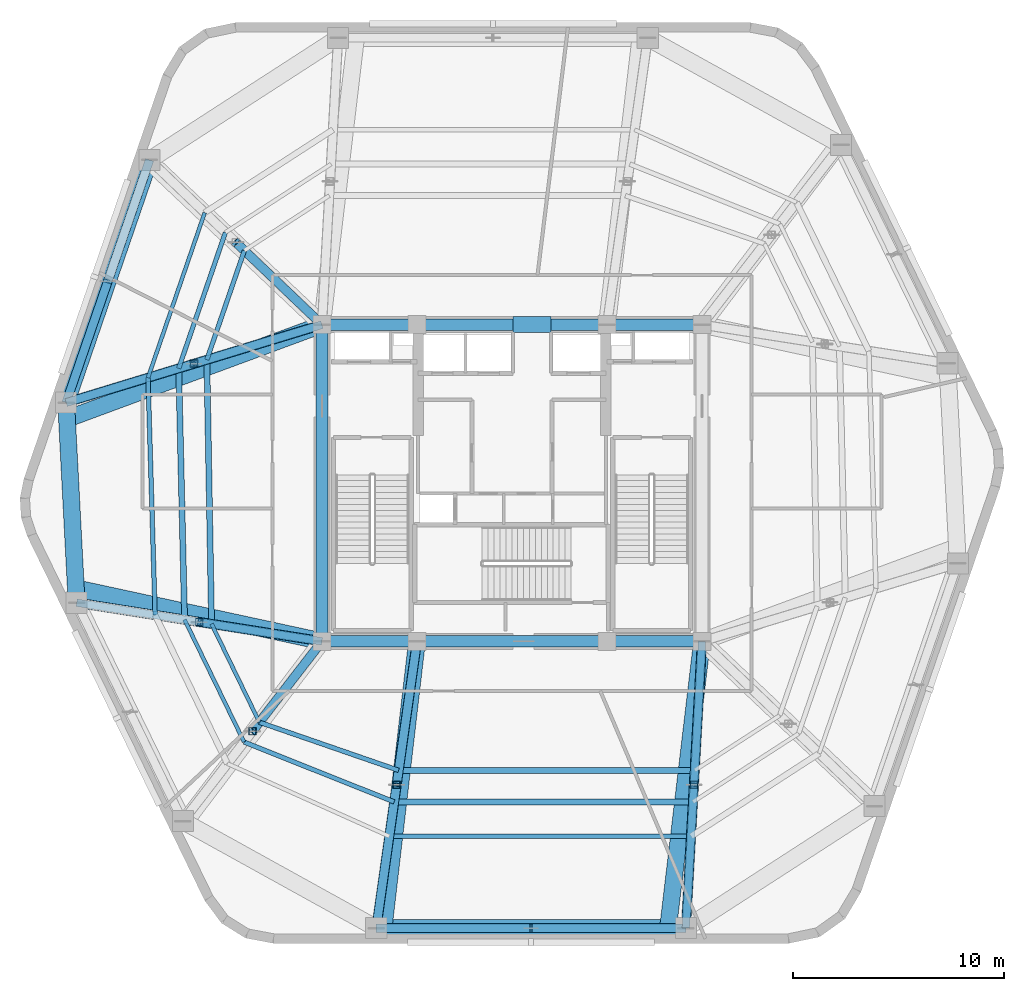
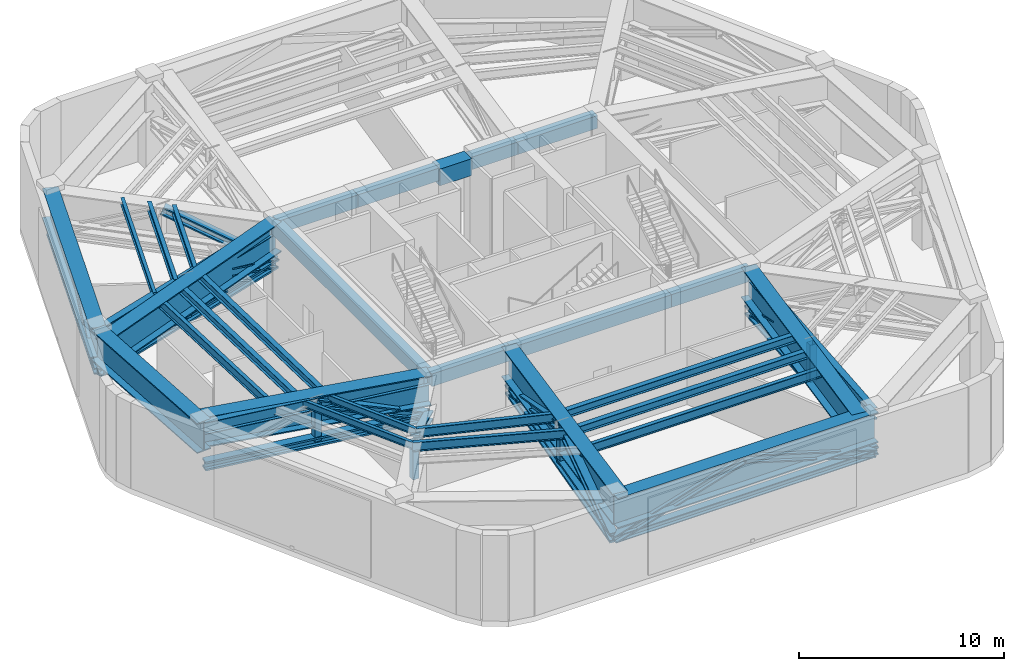
# One storey, part 2 of 10: 31 beams, 23 members.
"""IFC4 building model written with IfcOpenShell, lengths in metres."""

import ifcopenshell
import ifcopenshell.guid

model = None  # the IFC model being written
_history = None  # IfcOwnerHistory: only IFC2X3 demands one
_inside = {}  # id of a spatial element -> (the spatial element, [elements in it])
_under = {}  # id of a project, library or spatial element -> (it, [spatial elements below it])
_declared = {}  # id of a project -> (the project, [libraries it declares])
_typed = {}  # id of a type object -> (the type object, [elements of that type])
_made_of = {}  # id of a material, layer set ... -> (it, [elements and type objects made of it])


def new_model(schema):
    """Start an empty IFC model of exactly this schema.

    Asked for "IFC4X3", IfcOpenShell would pick the latest addendum, in which some entities
    have other attributes; the version numbers below select the first issue.
    IFC2X3 requires an IfcOwnerHistory on every rooted entity: one is made here for all.
    """
    global model, _history
    if schema == "IFC4X3":
        model = ifcopenshell.file(schema_version=(4, 3, 0, 0))
    else:
        model = ifcopenshell.file(schema=schema)
    _inside.clear()
    _under.clear()
    _declared.clear()
    _typed.clear()
    _made_of.clear()
    _history = None
    if model.schema == "IFC2X3":
        org = make("IfcOrganization", Name="unknown")
        user = make(
            "IfcPersonAndOrganization",
            ThePerson=make("IfcPerson", FamilyName="unknown"),
            TheOrganization=org,
        )
        app = make(
            "IfcApplication",
            ApplicationDeveloper=org,
            Version="unknown",
            ApplicationFullName="unknown",
            ApplicationIdentifier="unknown",
        )
        _history = make(
            "IfcOwnerHistory",
            OwningUser=user,
            OwningApplication=app,
            ChangeAction="ADDED",
            CreationDate=0,
        )
    return model


def make(cls, **values):
    """One entity of the class cls with the attributes given. An attribute that is None is left unset."""
    return model.create_entity(
        cls, **{name: value for name, value in values.items() if value is not None}
    )


def rooted(cls, **values):
    """An entity with a GlobalId (a new one), such as an element, a storey or a relation."""
    return make(cls, GlobalId=ifcopenshell.guid.new(), OwnerHistory=_history, **values)


def si_unit(unit_type, name, prefix=None):
    """IfcSIUnit, for example si_unit("LENGTHUNIT", "METRE", prefix="MILLI")."""
    return make("IfcSIUnit", UnitType=unit_type, Prefix=prefix, Name=name)


def assignment(units):
    """IfcUnitAssignment: the units of a project."""
    return None if units is None else make("IfcUnitAssignment", Units=units)


def point(xyz):
    """IfcCartesianPoint."""
    return None if xyz is None else make("IfcCartesianPoint", Coordinates=xyz)


def direction(xyz):
    """IfcDirection."""
    return None if xyz is None else make("IfcDirection", DirectionRatios=xyz)


def frame(location, z_axis=None, x_axis=None):
    """IfcAxis2Placement3D, a coordinate frame: its origin and axes. An axis left out is left unset."""
    return make(
        "IfcAxis2Placement3D",
        Location=point(location),
        Axis=direction(z_axis),
        RefDirection=direction(x_axis),
    )


def frame_2d(location, x_axis=None):
    """IfcAxis2Placement2D, a coordinate frame in the plane: its origin and x axis."""
    return make(
        "IfcAxis2Placement2D", Location=point(location), RefDirection=direction(x_axis)
    )


def origin():
    """The frame at (0, 0, 0) with its axes left unset."""
    return frame((0.0, 0.0, 0.0))


def origin_2d():
    """The frame at (0, 0) in the plane with its x axis left unset."""
    return frame_2d((0.0, 0.0))


def place(relative_to, where):
    """IfcLocalPlacement: puts the frame where relative to a parent placement (None: the world)."""
    return make(
        "IfcLocalPlacement", PlacementRelTo=relative_to, RelativePlacement=where
    )


def context(
    kind, dimensions, precision=None, world=None, true_north=None, identifier=None
):
    """IfcGeometricRepresentationContext, for example the 3D "Model" context."""
    return make(
        "IfcGeometricRepresentationContext",
        ContextIdentifier=identifier,
        ContextType=kind,
        CoordinateSpaceDimension=dimensions,
        Precision=precision,
        WorldCoordinateSystem=world,
        TrueNorth=true_north,
    )


def subcontext(parent, identifier, kind, view, scale=None):
    """IfcGeometricRepresentationSubContext, for example "Body" below "Model"."""
    return make(
        "IfcGeometricRepresentationSubContext",
        ContextIdentifier=identifier,
        ContextType=kind,
        ParentContext=parent,
        TargetScale=scale,
        TargetView=view,
    )


def project(units=None, contexts=None):
    """IfcProject with its units and contexts."""
    return rooted(
        "IfcProject",
        Name="project",
        RepresentationContexts=contexts,
        UnitsInContext=assignment(units),
    )


def spatial(cls, under=None, at=None, **own):
    """A site, building, storey or space (cls), placed at a placement, below another one or the project."""
    s = rooted(cls, ObjectPlacement=at, **own)
    if under is not None:
        _under.setdefault(under.id(), (under, []))[1].append(s)
    return s


def profile(cls, at=None, kind="AREA", **sizes):
    """A parametric profile (cls). Its sizes go by their IFC names, for example OverallWidth=200.0."""
    return make(cls, ProfileType=kind, Position=at, **sizes)


def rectangle(**sizes):
    """IfcRectangleProfileDef."""
    return profile("IfcRectangleProfileDef", **sizes)


def hollow_rectangle(**sizes):
    """IfcRectangleHollowProfileDef."""
    return profile("IfcRectangleHollowProfileDef", **sizes)


def i_section(**sizes):
    """IfcIShapeProfileDef."""
    return profile("IfcIShapeProfileDef", **sizes)


def extrude(swept, where, along, depth):
    """IfcExtrudedAreaSolid: the profile swept, set in the frame where, extruded along a direction by depth."""
    return make(
        "IfcExtrudedAreaSolid",
        SweptArea=swept,
        Position=where,
        ExtrudedDirection=direction(along),
        Depth=depth,
    )


def shape(context_of_items, identifier, shape_type, items):
    """IfcShapeRepresentation: the items that make up one representation, for example the "Body"."""
    return make(
        "IfcShapeRepresentation",
        ContextOfItems=context_of_items,
        RepresentationIdentifier=identifier,
        RepresentationType=shape_type,
        Items=items,
    )


def material(Name=None, Category=None):
    """IfcMaterial."""
    return make("IfcMaterial", Name=Name, Category=Category)


def material_profile(
    of_material, cross_section, Name=None, Category=None, Priority=None
):
    """IfcMaterialProfile: a cross section and its material."""
    return make(
        "IfcMaterialProfile",
        Name=Name,
        Material=of_material,
        Profile=cross_section,
        Priority=Priority,
        Category=Category,
    )


def profile_set(profiles, Name=None, composite=None):
    """IfcMaterialProfileSet."""
    return make(
        "IfcMaterialProfileSet",
        Name=Name,
        MaterialProfiles=profiles,
        CompositeProfile=composite,
    )


def made_of(thing, what):
    """Note that an element or type object is made of a material, layer set ...; save() writes the relation."""
    if what is not None:
        _made_of.setdefault(what.id(), (what, []))[1].append(thing)
    return thing


def type_object(cls, material=None, **own):
    """A type object (cls), such as IfcWallType, which elements share."""
    return made_of(rooted(cls, **own), material)


def element(
    cls,
    number,
    at=None,
    inside=None,
    cuts=None,
    type_object=None,
    material=None,
    context=None,
    identifier="Body",
    shape_type=None,
    held_by="IfcProductDefinitionShape",
    body=None,
    shapes=None,
    **own,
):
    """One element of the class cls, such as IfcWall. Its Tag is "e" and its number.

    at: its placement. inside: the storey or other place that contains it. cuts: it is an
    opening in that element (IfcRelVoidsElement). A single representation is given by context,
    identifier, shape_type and body (its items); several are given by shapes. held_by: the class
    of the entity that holds the representations. save() writes the other relations.
    """
    e = rooted(cls, Tag="e%d" % number, ObjectPlacement=at, **own)
    if body is not None:
        shapes = [shape(context, identifier, shape_type, body)]
    if shapes is not None:
        e.Representation = make(held_by, Representations=shapes)
    if inside is not None:
        _inside.setdefault(inside.id(), (inside, []))[1].append(e)
    if cuts is not None:
        rooted(
            "IfcRelVoidsElement", RelatingBuildingElement=cuts, RelatedOpeningElement=e
        )
    if type_object is not None:
        _typed.setdefault(type_object.id(), (type_object, []))[1].append(e)
    return made_of(e, material)


def aggregate(whole, parts):
    """IfcRelAggregates: a whole, such as a stair, and the parts it consists of."""
    return rooted("IfcRelAggregates", RelatingObject=whole, RelatedObjects=parts)


def save(model, path):
    """Write the relations noted so far, then the file.

    IfcRelAggregates (storeys below a building ...), IfcRelContainedInSpatialStructure (elements
    in a storey), IfcRelDefinesByType, IfcRelAssociatesMaterial and IfcRelDeclares: one each for
    every whole, place, type object, material and project.
    """
    for whole, parts in _under.values():
        aggregate(whole, parts)
    for where, things in _inside.values():
        rooted(
            "IfcRelContainedInSpatialStructure",
            RelatedElements=things,
            RelatingStructure=where,
        )
    for kind, things in _typed.values():
        rooted("IfcRelDefinesByType", RelatedObjects=things, RelatingType=kind)
    for what, things in _made_of.values():
        rooted("IfcRelAssociatesMaterial", RelatedObjects=things, RelatingMaterial=what)
    for by, libraries in _declared.values():
        rooted("IfcRelDeclares", RelatingContext=by, RelatedDefinitions=libraries)
    model.write(path)


model = new_model("IFC4")

# Units and contexts
model_context = context("Model", 3, precision=1e-05, world=origin(), true_north=direction((0.0, 1.0)))
body_context = subcontext(model_context, "Body", "Model", "MODEL_VIEW")
ifc_project = project(units=[si_unit("LENGTHUNIT", "METRE"), si_unit("AREAUNIT", "SQUARE_METRE"), si_unit("VOLUMEUNIT", "CUBIC_METRE"), si_unit("PLANEANGLEUNIT", "RADIAN"), si_unit("MASSUNIT", "GRAM", prefix="KILO")], contexts=[model_context])

# Site, building, storey
site_placement = place(None, origin())
site = spatial("IfcSite", under=ifc_project, at=site_placement, CompositionType="ELEMENT")
building_placement = place(site_placement, origin())
building = spatial("IfcBuilding", under=site, at=building_placement, Name="Kilnhurst Terrace Hotel", CompositionType="ELEMENT")
storey_placement = place(building_placement, frame((0.0, 0.0, 255.89990234375)))
storey = spatial("IfcBuildingStorey", under=building, at=storey_placement, Name="L64", CompositionType="ELEMENT", Elevation=255.89990234375)

# Beams
ifc_material_1 = material(Name="Concrete C50/60", Category="concrete")
ifc_material_profile_1 = material_profile(ifc_material_1, rectangle(XDim=0.550048828125, YDim=0.75, at=origin_2d()), Name="RC550X750")
ifc_profile_set_1 = profile_set([ifc_material_profile_1], Name="Concrete C50/60")
beam_type_1 = type_object("IfcBeamType", Name="BM-SPN-550X750", PredefinedType="SPANDREL", material=ifc_profile_set_1)
beam_1_placement = place(storey_placement, frame((-9.0, 7.5, 4.72509765625), z_axis=(1.0, 0.0, 0.0), x_axis=(0.0, 1.0, 0.0)))
element("IfcBeam", 1, at=beam_1_placement, inside=storey, type_object=beam_type_1, Name="L64 Core Tie Beam CC-NW to CC-NC1", PredefinedType="SPANDREL", context=body_context, shape_type="SweptSolid", body=[
    extrude(rectangle(XDim=0.550048828125, YDim=0.75, at=origin_2d()), origin(), (0.0, 0.0, 1.0), 4.5),
])
beam_2_placement = place(storey_placement, frame((-4.5, 7.5, 4.72509765625), z_axis=(1.0, 0.0, 0.0), x_axis=(0.0, 1.0, 0.0)))
element("IfcBeam", 2, at=beam_2_placement, inside=storey, type_object=beam_type_1, Name="L64 Core Tie Beam CC-NC1 to CC-NC2", PredefinedType="SPANDREL", context=body_context, shape_type="SweptSolid", body=[
    extrude(rectangle(XDim=0.550048828125, YDim=0.75, at=origin_2d()), origin(), (0.0, 0.0, 1.0), 9.0),
])
for number, where, z_axis, x_axis, name in (
    (3, (4.5, 7.5, 4.72509765625), (1.0, 0.0, 0.0), (0.0, 1.0, 0.0), "L64 Core Tie Beam CC-NC2 to CC-NE"),
    (4, (-9.0, -7.5, 4.72509765625), (1.0, 0.0, 0.0), (0.0, 1.0, 0.0), "L64 Core Tie Beam CC-SW to CC-SC1"),
):
    element("IfcBeam", number, at=place(storey_placement, frame(where, z_axis=z_axis, x_axis=x_axis)), inside=storey, type_object=beam_type_1, Name=name, PredefinedType="SPANDREL", context=body_context, shape_type="SweptSolid", body=[
        extrude(rectangle(XDim=0.550048828125, YDim=0.75, at=origin_2d()), origin(), (0.0, 0.0, 1.0), 4.5),
    ])
beam_3_placement = place(storey_placement, frame((-4.5, -7.5, 4.72509765625), z_axis=(1.0, 0.0, 0.0), x_axis=(0.0, 1.0, 0.0)))
element("IfcBeam", 5, at=beam_3_placement, inside=storey, type_object=beam_type_1, Name="L64 Core Tie Beam CC-SC1 to CC-SC2", PredefinedType="SPANDREL", context=body_context, shape_type="SweptSolid", body=[
    extrude(rectangle(XDim=0.550048828125, YDim=0.75, at=origin_2d()), origin(), (0.0, 0.0, 1.0), 9.0),
])
beam_4_placement = place(storey_placement, frame((4.5, -7.5, 4.72509765625), z_axis=(1.0, 0.0, 0.0), x_axis=(0.0, 1.0, 0.0)))
element("IfcBeam", 6, at=beam_4_placement, inside=storey, type_object=beam_type_1, Name="L64 Core Tie Beam CC-SC2 to CC-SE", PredefinedType="SPANDREL", context=body_context, shape_type="SweptSolid", body=[
    extrude(rectangle(XDim=0.550048828125, YDim=0.75, at=origin_2d()), origin(), (0.0, 0.0, 1.0), 4.5),
])
beam_5_placement = place(storey_placement, frame((-9.0, -7.5, 4.72509765625), z_axis=(0.0, 1.0, 0.0), x_axis=(-1.0, 0.0, 0.0)))
element("IfcBeam", 7, at=beam_5_placement, inside=storey, type_object=beam_type_1, Name="L64 Core Tie Beam CC-SW to CC-NW", PredefinedType="SPANDREL", context=body_context, shape_type="SweptSolid", body=[
    extrude(rectangle(XDim=0.550048828125, YDim=0.75, at=origin_2d()), origin(), (0.0, 0.0, 1.0), 15.0),
])
ifc_material_2 = material(Name="Steel ASTM A992 Grade 50", Category="steel")
ifc_material_profile_2 = material_profile(ifc_material_2, i_section(OverallWidth=0.354736328125, OverallDepth=0.695556640625, WebThickness=0.015380859375, FlangeThickness=0.025146484375, at=origin_2d()), Name="W27X146")
ifc_profile_set_2 = profile_set([ifc_material_profile_2], Name="Steel ASTM A992 Grade 50")
beam_type_2 = type_object("IfcBeamType", Name="BM-STL-W27X146", PredefinedType="BEAM", material=ifc_profile_set_2)
beam_6_placement = place(storey_placement, frame((9.0, -7.5, 4.752197265625), z_axis=(-0.056163905291, -0.998421562138, 0.0), x_axis=(0.998421562138, -0.056163905291, 0.0)))
element("IfcBeam", 8, at=beam_6_placement, inside=storey, type_object=beam_type_2, Name="L64 Radial Floor Beam 2", PredefinedType="BEAM", context=body_context, shape_type="SweptSolid", body=[
    extrude(i_section(OverallWidth=0.354736328125, OverallDepth=0.695556640625, WebThickness=0.015380859375, FlangeThickness=0.025146484375, at=origin_2d()), origin(), (0.0, 0.0, 1.0), 13.6015625),
])
beam_7_placement = place(storey_placement, frame((-9.0, -7.5, 4.752197265625), z_axis=(-0.987828160163, 0.155549111179, 0.0), x_axis=(-0.155549111179, -0.987828160163, 0.0)))
element("IfcBeam", 9, at=beam_7_placement, inside=storey, type_object=beam_type_2, Name="L64 Radial Floor Beam 11", PredefinedType="BEAM", context=body_context, shape_type="SweptSolid", body=[
    extrude(i_section(OverallWidth=0.354736328125, OverallDepth=0.695556640625, WebThickness=0.015380859375, FlangeThickness=0.025146484375, at=origin_2d()), origin(), (0.0, 0.0, 1.0), 11.765380859375),
])
ifc_material_profile_3 = material_profile(ifc_material_2, i_section(OverallWidth=0.380615234375, OverallDepth=0.773193359375, WebThickness=0.0166015625, FlangeThickness=0.027099609375, at=origin_2d()), Name="W30X173")
ifc_profile_set_3 = profile_set([ifc_material_profile_3], Name="Steel ASTM A992 Grade 50")
beam_type_3 = type_object("IfcBeamType", Name="BM-STL-W30X173", PredefinedType="BEAM", material=ifc_profile_set_3)
beam_8_placement = place(storey_placement, frame((-9.0, 7.5, 4.713134765625), z_axis=(-0.956562713724, -0.291526627793, 0.0), x_axis=(0.291526627793, -0.956562713724, 0.0)))
element("IfcBeam", 10, at=beam_8_placement, inside=storey, type_object=beam_type_3, Name="L64 Radial Floor Beam 10", PredefinedType="BEAM", context=body_context, shape_type="SweptSolid", body=[
    extrude(i_section(OverallWidth=0.380615234375, OverallDepth=0.773193359375, WebThickness=0.0166015625, FlangeThickness=0.027099609375, at=origin_2d()), origin(), (0.0, 0.0, 1.0), 12.668212890625),
])
ifc_material_profile_4 = material_profile(ifc_material_2, i_section(OverallWidth=0.180908203125, OverallDepth=0.417236328125, WebThickness=0.010986328125, FlangeThickness=0.018310546875, at=origin_2d()), Name="W16X57")
ifc_profile_set_4 = profile_set([ifc_material_profile_4], Name="Steel ASTM A992 Grade 50")
beam_type_4 = type_object("IfcBeamType", Name="JST-STL-W16X57", PredefinedType="JOIST", material=ifc_profile_set_4)
beam_9_placement = place(storey_placement, frame((-14.552978515625, 12.806640625, 4.89111328125), z_axis=(-0.325064911916, -0.945691706129, 0.0), x_axis=(0.945691706129, -0.325064911916, 0.0)))
element("IfcBeam", 11, at=beam_9_placement, inside=storey, type_object=beam_type_4, Name="L64 Secondary Floor Steel Joist OUT.9", PredefinedType="JOIST", context=body_context, shape_type="SweptSolid", body=[
    extrude(i_section(OverallWidth=0.180908203125, OverallDepth=0.417236328125, WebThickness=0.010986328125, FlangeThickness=0.018310546875, at=origin_2d()), origin(), (0.0, 0.0, 1.0), 8.266845703125),
])
beam_10_placement = place(storey_placement, frame((-14.22998046875, -6.676513671875, 4.89111328125), z_axis=(0.437718230281, -0.899112201496, 0.0), x_axis=(0.899112201496, 0.437718230281, 0.0)))
element("IfcBeam", 12, at=beam_10_placement, inside=storey, type_object=beam_type_4, Name="L64 Secondary Floor Steel Joist IN.11", PredefinedType="JOIST", context=body_context, shape_type="SweptSolid", body=[
    extrude(i_section(OverallWidth=0.180908203125, OverallDepth=0.417236328125, WebThickness=0.010986328125, FlangeThickness=0.018310546875, at=origin_2d()), origin(), (0.0, 0.0, 1.0), 5.176513671875),
])
beam_11_placement = place(storey_placement, frame((-15.50830078125, -6.47509765625, 4.89111328125), z_axis=(0.437683535338, -0.89912909134, 0.0), x_axis=(0.89912909134, 0.437683535338, 0.0)))
element("IfcBeam", 13, at=beam_11_placement, inside=storey, type_object=beam_type_4, Name="L64 Secondary Floor Steel Joist MID.11", PredefinedType="JOIST", context=body_context, shape_type="SweptSolid", body=[
    extrude(i_section(OverallWidth=0.180908203125, OverallDepth=0.417236328125, WebThickness=0.010986328125, FlangeThickness=0.018310546875, at=origin_2d()), origin(), (0.0, 0.0, 1.0), 6.442138671875),
])
ifc_material_profile_5 = material_profile(ifc_material_2, i_section(OverallWidth=0.279296875, OverallDepth=0.462890625, WebThickness=0.0107421875, FlangeThickness=0.017333984375, at=origin_2d()), Name="W18X76")
ifc_profile_set_5 = profile_set([ifc_material_profile_5], Name="Steel ASTM A992 Grade 50")
beam_type_5 = type_object("IfcBeamType", Name="JST-STL-W18X76", PredefinedType="JOIST", material=ifc_profile_set_5)
beam_12_placement = place(storey_placement, frame((-5.368408203125, -13.611083984375, 4.8681640625), z_axis=(1.0, 0.0, 0.0), x_axis=(0.0, 1.0, 0.0)))
element("IfcBeam", 14, at=beam_12_placement, inside=storey, type_object=beam_type_5, Name="L64 Secondary Floor Steel Joist IN.1", PredefinedType="JOIST", context=body_context, shape_type="SweptSolid", body=[
    extrude(i_section(OverallWidth=0.279296875, OverallDepth=0.462890625, WebThickness=0.0107421875, FlangeThickness=0.017333984375, at=origin_2d()), origin(), (0.0, 0.0, 1.0), 14.024658203125),
])
beam_13_placement = place(storey_placement, frame((-14.453125, 5.838134765625, 4.8681640625), z_axis=(0.017827833387, -0.999841071549, 0.0), x_axis=(0.999841071549, 0.017827833387, 0.0)))
element("IfcBeam", 15, at=beam_13_placement, inside=storey, type_object=beam_type_5, Name="L64 Secondary Floor Steel Joist IN.10", PredefinedType="JOIST", context=body_context, shape_type="SweptSolid", body=[
    extrude(i_section(OverallWidth=0.279296875, OverallDepth=0.462890625, WebThickness=0.0107421875, FlangeThickness=0.017333984375, at=origin_2d()), origin(), (0.0, 0.0, 1.0), 12.5166015625),
])
beam_14_placement = place(storey_placement, frame((-5.580810546875, -15.104736328125, 4.8681640625), z_axis=(1.0, 0.0, 0.0), x_axis=(0.0, 1.0, 0.0)))
element("IfcBeam", 16, at=beam_14_placement, inside=storey, type_object=beam_type_5, Name="L64 Secondary Floor Steel Joist MID.1", PredefinedType="JOIST", context=body_context, shape_type="SweptSolid", body=[
    extrude(i_section(OverallWidth=0.279296875, OverallDepth=0.462890625, WebThickness=0.0107421875, FlangeThickness=0.017333984375, at=origin_2d()), origin(), (0.0, 0.0, 1.0), 14.153076171875),
])
beam_15_placement = place(storey_placement, frame((-15.7861328125, 5.431884765625, 4.8681640625), z_axis=(0.023327188947, -0.999727884104, 0.0), x_axis=(0.999727884104, 0.023327188947, 0.0)))
element("IfcBeam", 17, at=beam_15_placement, inside=storey, type_object=beam_type_5, Name="L64 Secondary Floor Steel Joist MID.10", PredefinedType="JOIST", context=body_context, shape_type="SweptSolid", body=[
    extrude(i_section(OverallWidth=0.279296875, OverallDepth=0.462890625, WebThickness=0.0107421875, FlangeThickness=0.017333984375, at=origin_2d()), origin(), (0.0, 0.0, 1.0), 11.91015625),
])
ifc_material_profile_6 = material_profile(ifc_material_2, i_section(OverallWidth=0.2138671875, OverallDepth=0.549072265625, WebThickness=0.0146484375, FlangeThickness=0.023681640625, at=origin_2d()), Name="W21X93")
ifc_profile_set_6 = profile_set([ifc_material_profile_6], Name="Steel ASTM A992 Grade 50")
beam_type_6 = type_object("IfcBeamType", Name="JST-STL-W21X93", PredefinedType="JOIST", material=ifc_profile_set_6)
beam_16_placement = place(storey_placement, frame((-5.8125, -16.734375, 4.8251953125), z_axis=(1.0, 0.0, 0.0), x_axis=(0.0, 1.0, 0.0)))
element("IfcBeam", 18, at=beam_16_placement, inside=storey, type_object=beam_type_6, Name="L64 Secondary Floor Steel Joist OUT.1", PredefinedType="JOIST", context=body_context, shape_type="SweptSolid", body=[
    extrude(i_section(OverallWidth=0.2138671875, OverallDepth=0.549072265625, WebThickness=0.0146484375, FlangeThickness=0.023681640625, at=origin_2d()), origin(), (0.0, 0.0, 1.0), 14.29296875),
])
beam_17_placement = place(storey_placement, frame((-17.240234375, 4.98876953125, 4.8251953125), z_axis=(0.029971114202, -0.999550765251, 0.0), x_axis=(0.999550765251, 0.029971114202, 0.0)))
element("IfcBeam", 19, at=beam_17_placement, inside=storey, type_object=beam_type_6, Name="L64 Secondary Floor Steel Joist OUT.10", PredefinedType="JOIST", context=body_context, shape_type="SweptSolid", body=[
    extrude(i_section(OverallWidth=0.2138671875, OverallDepth=0.549072265625, WebThickness=0.0146484375, FlangeThickness=0.023681640625, at=origin_2d()), origin(), (0.0, 0.0, 1.0), 11.24951171875),
])
beam_18_placement = place(storey_placement, frame((-12.6748046875, 11.01171875, 4.8251953125), z_axis=(-0.325063554612, -0.945692172677, 0.0), x_axis=(0.945692172677, -0.325063554612, 0.0)))
element("IfcBeam", 20, at=beam_18_placement, inside=storey, type_object=beam_type_6, Name="L64 Secondary Floor Steel Joist IN.9", PredefinedType="JOIST", context=body_context, shape_type="SweptSolid", body=[
    extrude(i_section(OverallWidth=0.2138671875, OverallDepth=0.549072265625, WebThickness=0.0146484375, FlangeThickness=0.023681640625, at=origin_2d()), origin(), (0.0, 0.0, 1.0), 5.470703125),
])
beam_19_placement = place(storey_placement, frame((-11.964111328125, -11.330810546875, 4.8251953125), z_axis=(0.94511244231, -0.326745269884, 0.0), x_axis=(0.326745269884, 0.94511244231, 0.0)))
element("IfcBeam", 21, at=beam_19_placement, inside=storey, type_object=beam_type_6, Name="L64 Secondary Floor Steel Joist IN.12", PredefinedType="JOIST", context=body_context, shape_type="SweptSolid", body=[
    extrude(i_section(OverallWidth=0.2138671875, OverallDepth=0.549072265625, WebThickness=0.0146484375, FlangeThickness=0.023681640625, at=origin_2d()), origin(), (0.0, 0.0, 1.0), 6.978759765625),
])
beam_20_placement = place(storey_placement, frame((-13.572998046875, 11.8701171875, 4.8251953125), z_axis=(-0.325078766286, -0.945686943819, 0.0), x_axis=(0.945686943819, -0.325078766286, 0.0)))
element("IfcBeam", 22, at=beam_20_placement, inside=storey, type_object=beam_type_6, Name="L64 Secondary Floor Steel Joist MID.9", PredefinedType="JOIST", context=body_context, shape_type="SweptSolid", body=[
    extrude(i_section(OverallWidth=0.2138671875, OverallDepth=0.549072265625, WebThickness=0.0146484375, FlangeThickness=0.023681640625, at=origin_2d()), origin(), (0.0, 0.0, 1.0), 6.80810546875),
])
beam_21_placement = place(storey_placement, frame((-12.688720703125, -12.267333984375, 4.8251953125), z_axis=(0.928736063912, -0.370741585999, 0.0), x_axis=(0.370741585999, 0.928736063912, 0.0)))
element("IfcBeam", 23, at=beam_21_placement, inside=storey, type_object=beam_type_6, Name="L64 Secondary Floor Steel Joist MID.12", PredefinedType="JOIST", context=body_context, shape_type="SweptSolid", body=[
    extrude(i_section(OverallWidth=0.2138671875, OverallDepth=0.549072265625, WebThickness=0.0146484375, FlangeThickness=0.023681640625, at=origin_2d()), origin(), (0.0, 0.0, 1.0), 7.6533203125),
])
ifc_material_3 = material(Name="Concrete C60/75", Category="concrete")
ifc_material_profile_7 = material_profile(ifc_material_3, rectangle(XDim=0.75, YDim=1.0, at=origin_2d()), Name="RC750X1000")
ifc_profile_set_7 = profile_set([ifc_material_profile_7], Name="Concrete C60/75")
beam_type_7 = type_object("IfcBeamType", Name="LNT-CB-750X1000", PredefinedType="LINTEL", material=ifc_profile_set_7)
beam_22_placement = place(storey_placement, frame((0.050048828125, 7.5, 4.60009765625), z_axis=(1.0, 0.0, 0.0), x_axis=(0.0, 1.0, 0.0)))
element("IfcBeam", 24, at=beam_22_placement, inside=storey, type_object=beam_type_7, Name="L64 North Core Coupling Link Beam", PredefinedType="LINTEL", context=body_context, shape_type="SweptSolid", body=[
    extrude(rectangle(XDim=0.75, YDim=1.0, at=origin_2d()), origin(), (0.0, 0.0, 1.0), 1.800048828125),
])

# Members
ifc_material_profile_8 = material_profile(ifc_material_2, i_section(OverallWidth=0.41845703125, OverallDepth=0.455078125, WebThickness=0.0419921875, FlangeThickness=0.067626953125, at=origin_2d()), Name="W14X370")
ifc_profile_set_8 = profile_set([ifc_material_profile_8], Name="Steel ASTM A992 Grade 50")
member_type_1 = type_object("IfcMemberType", Name="MEM-BLT-DIAG-370", PredefinedType="BRACE", material=ifc_profile_set_8)
for number, where, z_axis, x_axis, name in (
    (25, (-6.429931640625, -21.080078125, 2.52001953125), (0.956739436055, 0.0, 0.290946131606), (0.0, 1.0, 0.0), "L64 Belt Truss Left Diagonal 1"),
    (26, (8.236083984375, -21.080078125, 2.52001953125), (-0.956739436055, 0.0, 0.290946131606), (0.0, -1.0, 0.0), "L64 Belt Truss Right Diagonal 1"),
):
    element("IfcMember", number, at=place(storey_placement, frame(where, z_axis=z_axis, x_axis=x_axis)), inside=storey, type_object=member_type_1, Name=name, PredefinedType="BRACE", context=body_context, shape_type="SweptSolid", body=[
        extrude(i_section(OverallWidth=0.41845703125, OverallDepth=0.455078125, WebThickness=0.0419921875, FlangeThickness=0.067626953125, at=origin_2d()), origin(), (0.0, 0.0, 1.0), 7.66455078125),
    ])
member_1_placement = place(storey_placement, frame((-21.117919921875, 3.806884765625, 2.52001953125), z_axis=(0.305138903919, 0.887855048744, 0.344388823477), x_axis=(-0.945706660369, 0.325021403192, 0.0)))
element("IfcMember", 27, at=member_1_placement, inside=storey, type_object=member_type_1, Name="L64 Belt Truss Right Diagonal 5", PredefinedType="BRACE", context=body_context, shape_type="SweptSolid", body=[
    extrude(i_section(OverallWidth=0.41845703125, OverallDepth=0.455078125, WebThickness=0.0419921875, FlangeThickness=0.067626953125, at=origin_2d()), origin(), (0.0, 0.0, 1.0), 6.47509765625),
])
ifc_material_profile_9 = material_profile(ifc_material_2, i_section(OverallWidth=0.40625, OverallDepth=0.416015625, WebThickness=0.02978515625, FlangeThickness=0.048095703125, at=origin_2d()), Name="W14X257")
ifc_profile_set_9 = profile_set([ifc_material_profile_9], Name="Steel ASTM A992 Grade 50")
member_type_2 = type_object("IfcMemberType", Name="MEM-CHD-W14X257", PredefinedType="CHORD", material=ifc_profile_set_9)
member_2_placement = place(storey_placement, frame((-6.429931640625, -21.080078125, 2.52001953125), z_axis=(1.0, 0.0, 0.0), x_axis=(0.0, 1.0, 0.0)))
element("IfcMember", 28, at=member_2_placement, inside=storey, type_object=member_type_2, Name="L64 Belt Truss Bottom Chord 1", PredefinedType="CHORD", context=body_context, shape_type="SweptSolid", body=[
    extrude(i_section(OverallWidth=0.40625, OverallDepth=0.416015625, WebThickness=0.02978515625, FlangeThickness=0.048095703125, at=origin_2d()), origin(), (0.0, 0.0, 1.0), 14.666015625),
])
member_3_placement = place(storey_placement, frame((-17.166015625, 15.303955078125, 2.52001953125), z_axis=(-0.325064053802, -0.94569200109, 0.0), x_axis=(0.94569200109, -0.325064053802, 0.0)))
element("IfcMember", 29, at=member_3_placement, inside=storey, type_object=member_type_2, Name="L64 Belt Truss Bottom Chord 5", PredefinedType="CHORD", context=body_context, shape_type="SweptSolid", body=[
    extrude(i_section(OverallWidth=0.40625, OverallDepth=0.416015625, WebThickness=0.02978515625, FlangeThickness=0.048095703125, at=origin_2d()), origin(), (0.0, 0.0, 1.0), 12.1572265625),
])
ifc_material_profile_10 = material_profile(ifc_material_2, i_section(OverallWidth=0.44189453125, OverallDepth=0.531494140625, WebThickness=0.06591796875, FlangeThickness=0.105712890625, at=origin_2d()), Name="W14X605")
ifc_profile_set_10 = profile_set([ifc_material_profile_10], Name="Steel ASTM A992 Grade 50")
member_type_3 = type_object("IfcMemberType", Name="MEM-CHD-W14X605", PredefinedType="CHORD", material=ifc_profile_set_10)
member_4_placement = place(storey_placement, frame((-4.5, -7.5, 2.52001953125), z_axis=(-0.140701170889, -0.990052109997, 0.0), x_axis=(0.990052109997, -0.140701170889, 0.0)))
element("IfcMember", 30, at=member_4_placement, inside=storey, type_object=member_type_3, Name="L64 Outrigger Bottom Chord 1", PredefinedType="CHORD", context=body_context, shape_type="SweptSolid", body=[
    extrude(i_section(OverallWidth=0.44189453125, OverallDepth=0.531494140625, WebThickness=0.06591796875, FlangeThickness=0.105712890625, at=origin_2d()), origin(), (0.0, 0.0, 1.0), 13.716552734375),
])
member_5_placement = place(storey_placement, frame((9.0, -7.5, 2.52001953125), z_axis=(-0.056163905291, -0.998421562138, 0.0), x_axis=(0.998421562138, -0.056163905291, 0.0)))
element("IfcMember", 31, at=member_5_placement, inside=storey, type_object=member_type_3, Name="L64 Outrigger Bottom Chord 2", PredefinedType="CHORD", context=body_context, shape_type="SweptSolid", body=[
    extrude(i_section(OverallWidth=0.44189453125, OverallDepth=0.531494140625, WebThickness=0.06591796875, FlangeThickness=0.105712890625, at=origin_2d()), origin(), (0.0, 0.0, 1.0), 13.6015625),
])
member_6_placement = place(storey_placement, frame((-9.0, 7.5, 2.52001953125), z_axis=(-0.956562713724, -0.291526627793, 0.0), x_axis=(0.291526627793, -0.956562713724, 0.0)))
element("IfcMember", 32, at=member_6_placement, inside=storey, type_object=member_type_3, Name="L64 Outrigger Bottom Chord 10", PredefinedType="CHORD", context=body_context, shape_type="SweptSolid", body=[
    extrude(i_section(OverallWidth=0.44189453125, OverallDepth=0.531494140625, WebThickness=0.06591796875, FlangeThickness=0.105712890625, at=origin_2d()), origin(), (0.0, 0.0, 1.0), 12.668212890625),
])
member_7_placement = place(storey_placement, frame((-9.0, -7.5, 2.52001953125), z_axis=(-0.987828160163, 0.155549111179, 0.0), x_axis=(-0.155549111179, -0.987828160163, 0.0)))
element("IfcMember", 33, at=member_7_placement, inside=storey, type_object=member_type_3, Name="L64 Outrigger Bottom Chord 11", PredefinedType="CHORD", context=body_context, shape_type="SweptSolid", body=[
    extrude(i_section(OverallWidth=0.44189453125, OverallDepth=0.531494140625, WebThickness=0.06591796875, FlangeThickness=0.105712890625, at=origin_2d()), origin(), (0.0, 0.0, 1.0), 11.765380859375),
])
ifc_material_profile_11 = material_profile(ifc_material_2, i_section(OverallWidth=0.424072265625, OverallDepth=0.47412109375, WebThickness=0.047607421875, FlangeThickness=0.0771484375, at=origin_2d()), Name="W14X426")
ifc_profile_set_11 = profile_set([ifc_material_profile_11], Name="Steel ASTM A992 Grade 50")
member_type_4 = type_object("IfcMemberType", Name="MEM-OTR-DIAG-426", PredefinedType="BRACE", material=ifc_profile_set_11)
for number, where, z_axis, x_axis, name in (
    (34, (-4.5, -7.5, 2.52001953125), (-0.133822238745, -0.941528991647, 0.309216374576), (0.990049630421, -0.140718617469, 0.0), "L64 Outrigger Inner Diagonal 1"),
    (35, (-5.465087890625, -14.2900390625, 4.75), (-0.133788991442, -0.941533256573, -0.30921777526), (0.990054589279, -0.140683724178, 0.0), "L64 Outrigger Outer Diagonal 1"),
):
    element("IfcMember", number, at=place(storey_placement, frame(where, z_axis=z_axis, x_axis=x_axis)), inside=storey, type_object=member_type_4, Name=name, PredefinedType="BRACE", context=body_context, shape_type="SweptSolid", body=[
        extrude(i_section(OverallWidth=0.424072265625, OverallDepth=0.47412109375, WebThickness=0.047607421875, FlangeThickness=0.0771484375, at=origin_2d()), origin(), (0.0, 0.0, 1.0), 7.211669921875),
    ])
for number, where, z_axis, x_axis, name in (
    (36, (9.0, -7.5, 2.52001953125), (-0.053385101405, -0.948719770149, 0.311577965646), (0.998420555458, -0.056181798119, 0.0), "L64 Outrigger Inner Diagonal 2"),
    (37, (8.617919921875, -14.2900390625, 4.75), (-0.053351086644, -0.948721497284, -0.31157853287), (0.9984225685, -0.05614601241, 0.0), "L64 Outrigger Outer Diagonal 2"),
):
    element("IfcMember", number, at=place(storey_placement, frame(where, z_axis=z_axis, x_axis=x_axis)), inside=storey, type_object=member_type_4, Name=name, PredefinedType="BRACE", context=body_context, shape_type="SweptSolid", body=[
        extrude(i_section(OverallWidth=0.424072265625, OverallDepth=0.47412109375, WebThickness=0.047607421875, FlangeThickness=0.0771484375, at=origin_2d()), origin(), (0.0, 0.0, 1.0), 7.156982421875),
    ])
member_8_placement = place(storey_placement, frame((-9.0, 7.5, 2.52001953125), z_axis=(-0.672423334652, 0.642629882668, 0.367251539028), x_axis=(-0.690909489119, -0.7229412686, 0.0)))
element("IfcMember", 38, at=member_8_placement, inside=storey, type_object=member_type_4, Name="L64 Outrigger Inner Diagonal 9", PredefinedType="BRACE", context=body_context, shape_type="SweptSolid", body=[
    extrude(i_section(OverallWidth=0.424072265625, OverallDepth=0.47412109375, WebThickness=0.047607421875, FlangeThickness=0.0771484375, at=origin_2d()), origin(), (0.0, 0.0, 1.0), 6.072021484375),
])
member_9_placement = place(storey_placement, frame((-9.0, 7.5, 2.52001953125), z_axis=(-0.902304630305, -0.274894242475, 0.332083588251), x_axis=(0.291433080955, -0.956591218507, 0.0)))
element("IfcMember", 39, at=member_9_placement, inside=storey, type_object=member_type_4, Name="L64 Outrigger Inner Diagonal 10", PredefinedType="BRACE", context=body_context, shape_type="SweptSolid", body=[
    extrude(i_section(OverallWidth=0.424072265625, OverallDepth=0.47412109375, WebThickness=0.047607421875, FlangeThickness=0.0771484375, at=origin_2d()), origin(), (0.0, 0.0, 1.0), 6.715087890625),
])
member_10_placement = place(storey_placement, frame((-15.05908203125, 5.654052734375, 4.75), z_axis=(-0.902252769552, -0.275071300094, -0.33207788198), x_axis=(0.291620170037, -0.956534200344, 0.0)))
element("IfcMember", 40, at=member_10_placement, inside=storey, type_object=member_type_4, Name="L64 Outrigger Outer Diagonal 10", PredefinedType="BRACE", context=body_context, shape_type="SweptSolid", body=[
    extrude(i_section(OverallWidth=0.424072265625, OverallDepth=0.47412109375, WebThickness=0.047607421875, FlangeThickness=0.0771484375, at=origin_2d()), origin(), (0.0, 0.0, 1.0), 6.71533203125),
])
member_11_placement = place(storey_placement, frame((-9.0, -7.5, 2.52001953125), z_axis=(-0.923687932263, 0.145449221499, 0.354464564881), x_axis=(-0.155549111179, -0.987828160163, 0.0)))
element("IfcMember", 41, at=member_11_placement, inside=storey, type_object=member_type_4, Name="L64 Outrigger Inner Diagonal 11", PredefinedType="BRACE", context=body_context, shape_type="SweptSolid", body=[
    extrude(i_section(OverallWidth=0.424072265625, OverallDepth=0.47412109375, WebThickness=0.047607421875, FlangeThickness=0.0771484375, at=origin_2d()), origin(), (0.0, 0.0, 1.0), 6.291015625),
])
member_12_placement = place(storey_placement, frame((-9.0, -7.5, 2.52001953125), z_axis=(-0.565245212638, -0.730737008657, 0.382780973624), x_axis=(0.790978634718, -0.611843770435, 0.0)))
element("IfcMember", 42, at=member_12_placement, inside=storey, type_object=member_type_4, Name="L64 Outrigger Inner Diagonal 12", PredefinedType="BRACE", context=body_context, shape_type="SweptSolid", body=[
    extrude(i_section(OverallWidth=0.424072265625, OverallDepth=0.47412109375, WebThickness=0.047607421875, FlangeThickness=0.0771484375, at=origin_2d()), origin(), (0.0, 0.0, 1.0), 5.82568359375),
])
ifc_material_4 = material(Name="Steel ASTM A500 Grade C", Category="steel")
ifc_material_profile_12 = material_profile(ifc_material_4, hollow_rectangle(XDim=0.35009765625, YDim=0.35009765625, WallThickness=0.01611328125, at=origin_2d()), Name="HSS350X350X16")
ifc_profile_set_12 = profile_set([ifc_material_profile_12], Name="Steel ASTM A500 Grade C")
member_type_5 = type_object("IfcMemberType", Name="MEM-STR-HSS350", PredefinedType="STRUT", material=ifc_profile_set_12)
for number, where, z_axis, x_axis, name in (
    (43, (-5.465087890625, -14.2900390625, 2.52001953125), (0.0, 0.0, 1.0), (1.0, 0.0, 0.0), "L64 Outrigger Web Post 1"),
    (44, (8.617919921875, -14.2900390625, 2.52001953125), (0.0, 0.0, 1.0), (1.0, 0.0, 0.0), "L64 Outrigger Web Post 2"),
    (45, (-15.05908203125, 5.654052734375, 2.52001953125), (0.0, 0.0, 1.0), (1.0, 0.0, 0.0), "L64 Outrigger Web Post 10"),
    (46, (-14.81103515625, -6.5849609375, 2.52001953125), (0.0, 0.0, 1.0), (1.0, 0.0, 0.0), "L64 Outrigger Web Post 11"),
    (47, (-12.29296875, -11.757080078125, 2.52001953125), (0.0, 0.0, 1.0), (1.0, 0.0, 0.0), "L64 Outrigger Web Post 12"),
):
    element("IfcMember", number, at=place(storey_placement, frame(where, z_axis=z_axis, x_axis=x_axis)), inside=storey, type_object=member_type_5, Name=name, PredefinedType="STRUT", context=body_context, shape_type="SweptSolid", body=[
        extrude(hollow_rectangle(XDim=0.35009765625, YDim=0.35009765625, WallThickness=0.01611328125, at=origin_2d()), origin(), (0.0, 0.0, 1.0), 2.22998046875),
    ])

# Beams
ifc_material_5 = material(Name="Steel ASTM A572 Grade 50", Category="steel")
ifc_material_profile_13 = material_profile(ifc_material_5, i_section(OverallWidth=0.800048828125, OverallDepth=1.800048828125, WebThickness=0.0400390625, FlangeThickness=0.06494140625, at=origin_2d()), Name="PG1800X800")
ifc_profile_set_13 = profile_set([ifc_material_profile_13], Name="Steel ASTM A572 Grade 50")
beam_type_8 = type_object("IfcBeamType", Name="TG-STEP-1800", PredefinedType="USERDEFINED", material=ifc_profile_set_13)
beam_23_placement = place(storey_placement, frame((-6.429931640625, -21.080078125, 4.2001953125), z_axis=(1.0, 0.0, 0.0), x_axis=(0.0, 1.0, 0.0)))
element("IfcBeam", 48, at=beam_23_placement, inside=storey, type_object=beam_type_8, Name="L64 Zone Step Perimeter Transfer Girder 1", ObjectType="GIRDER", PredefinedType="USERDEFINED", context=body_context, shape_type="SweptSolid", body=[
    extrude(i_section(OverallWidth=0.800048828125, OverallDepth=1.800048828125, WebThickness=0.0400390625, FlangeThickness=0.06494140625, at=origin_2d()), origin(), (0.0, 0.0, 1.0), 14.666015625),
])
beam_24_placement = place(storey_placement, frame((-17.166015625, 15.303955078125, 4.2001953125), z_axis=(-0.325064053802, -0.94569200109, 0.0), x_axis=(0.94569200109, -0.325064053802, 0.0)))
element("IfcBeam", 49, at=beam_24_placement, inside=storey, type_object=beam_type_8, Name="L64 Zone Step Perimeter Transfer Girder 9", ObjectType="GIRDER", PredefinedType="USERDEFINED", context=body_context, shape_type="SweptSolid", body=[
    extrude(i_section(OverallWidth=0.800048828125, OverallDepth=1.800048828125, WebThickness=0.0400390625, FlangeThickness=0.06494140625, at=origin_2d()), origin(), (0.0, 0.0, 1.0), 12.1572265625),
])
beam_25_placement = place(storey_placement, frame((-21.117919921875, 3.806884765625, 4.2001953125), z_axis=(0.052250962837, -0.998633985443, 0.0), x_axis=(0.998633985443, 0.052250962837, 0.0)))
element("IfcBeam", 50, at=beam_25_placement, inside=storey, type_object=beam_type_8, Name="L64 Zone Step Perimeter Transfer Girder 10", ObjectType="GIRDER", PredefinedType="USERDEFINED", context=body_context, shape_type="SweptSolid", body=[
    extrude(i_section(OverallWidth=0.800048828125, OverallDepth=1.800048828125, WebThickness=0.0400390625, FlangeThickness=0.06494140625, at=origin_2d()), origin(), (0.0, 0.0, 1.0), 9.48974609375),
])
beam_26_placement = place(storey_placement, frame((-4.5, -7.5, 4.2001953125), z_axis=(-0.115766774326, -0.993276423742, 0.0), x_axis=(0.993276423742, -0.115766774326, 0.0)))
element("IfcBeam", 51, at=beam_26_placement, inside=storey, type_object=beam_type_8, Name="L64 Zone Step Radial Transfer Girder 1", ObjectType="GIRDER", PredefinedType="USERDEFINED", context=body_context, shape_type="SweptSolid", body=[
    extrude(i_section(OverallWidth=0.800048828125, OverallDepth=1.800048828125, WebThickness=0.0400390625, FlangeThickness=0.06494140625, at=origin_2d()), origin(), (0.0, 0.0, 1.0), 13.672119140625),
])
beam_27_placement = place(storey_placement, frame((9.0, -7.5, 4.2001953125), z_axis=(-0.117633629091, -0.993057062463, 0.0), x_axis=(0.993057062463, -0.117633629091, 0.0)))
element("IfcBeam", 52, at=beam_27_placement, inside=storey, type_object=beam_type_8, Name="L64 Zone Step Radial Transfer Girder 2", ObjectType="GIRDER", PredefinedType="USERDEFINED", context=body_context, shape_type="SweptSolid", body=[
    extrude(i_section(OverallWidth=0.800048828125, OverallDepth=1.800048828125, WebThickness=0.0400390625, FlangeThickness=0.06494140625, at=origin_2d()), origin(), (0.0, 0.0, 1.0), 13.675048828125),
])
beam_28_placement = place(storey_placement, frame((-9.0, 7.5, 4.2001953125), z_axis=(-0.938003076347, -0.346626930234, 0.0), x_axis=(0.346626930234, -0.938003076347, 0.0)))
element("IfcBeam", 53, at=beam_28_placement, inside=storey, type_object=beam_type_8, Name="L64 Zone Step Radial Transfer Girder 10", ObjectType="GIRDER", PredefinedType="USERDEFINED", context=body_context, shape_type="SweptSolid", body=[
    extrude(i_section(OverallWidth=0.800048828125, OverallDepth=1.800048828125, WebThickness=0.0400390625, FlangeThickness=0.06494140625, at=origin_2d()), origin(), (0.0, 0.0, 1.0), 12.8759765625),
])
beam_29_placement = place(storey_placement, frame((-9.0, -7.5, 4.2001953125), z_axis=(-0.977442724754, 0.211200662465, 0.0), x_axis=(-0.211200662465, -0.977442724754, 0.0)))
element("IfcBeam", 54, at=beam_29_placement, inside=storey, type_object=beam_type_8, Name="L64 Zone Step Radial Transfer Girder 11", ObjectType="GIRDER", PredefinedType="USERDEFINED", context=body_context, shape_type="SweptSolid", body=[
    extrude(i_section(OverallWidth=0.800048828125, OverallDepth=1.800048828125, WebThickness=0.0400390625, FlangeThickness=0.06494140625, at=origin_2d()), origin(), (0.0, 0.0, 1.0), 11.92724609375),
])

save(model, "model.ifc")
